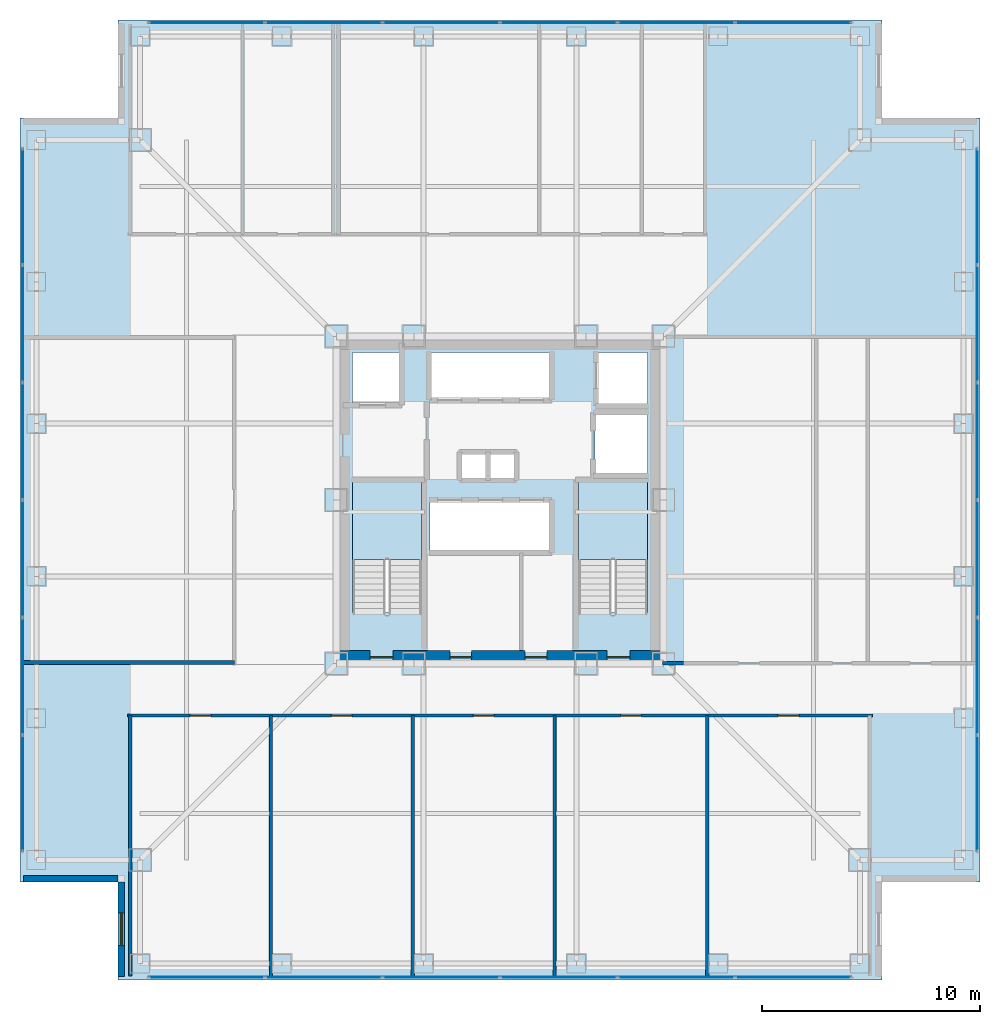
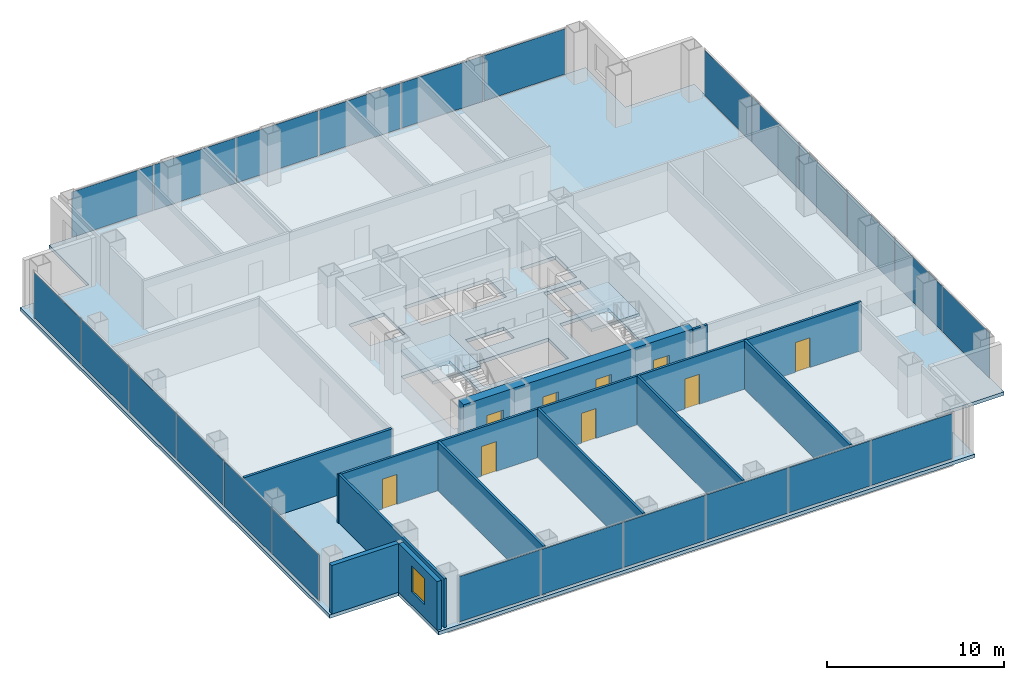
# One storey, part 12 of 17: 24 plates, 11 walls, 9 doors, 3 slabs, 1 window, 10 openings, 6 elements without a shape of their own.
"""IFC4 building model written with IfcOpenShell, lengths in metres."""

from ifc_helpers import new_model, si_unit, direction, frame, frame_2d, origin, origin_2d, place, context, subcontext, project, spatial, polyline, rectangle, outline, extrude, material, layer, layer_set, type_object, element, fill, aggregate, save


model = new_model("IFC4")

# Units and contexts
model_context = context("Model", 3, precision=1e-05, world=origin(), true_north=direction((0.0, 1.0)))
body_context = subcontext(model_context, "Body", "Model", "MODEL_VIEW")
ifc_project = project(units=[si_unit("LENGTHUNIT", "METRE"), si_unit("AREAUNIT", "SQUARE_METRE"), si_unit("VOLUMEUNIT", "CUBIC_METRE"), si_unit("PLANEANGLEUNIT", "RADIAN"), si_unit("MASSUNIT", "GRAM", prefix="KILO")], contexts=[model_context])

# Site, building, storey
site_placement = place(None, origin())
site = spatial("IfcSite", under=ifc_project, at=site_placement, CompositionType="ELEMENT")
building_placement = place(site_placement, origin())
building = spatial("IfcBuilding", under=site, at=building_placement, Name="Trevonay Congress Spire", CompositionType="ELEMENT")
storey_placement = place(building_placement, frame((0.0, 0.0, 108.39990234375)))
storey = spatial("IfcBuildingStorey", under=building, at=storey_placement, Name="L27", CompositionType="ELEMENT", Elevation=108.39990234375)

# Curtain wall, plates
ifc_material_1 = material(Name="Pale Anodised Aluminium EN AW-6063-T6", Category="aluminium")
ifc_layer_1 = layer(ifc_material_1, 0.175048828125, Name="Pale Anodised Aluminium EN AW-6063-T6")
ifc_layer_set_1 = layer_set([ifc_layer_1], Name="Pale Anodised Aluminium EN AW-6063-T6")
curtain_wall_type = type_object("IfcCurtainWallType", Name="CW-SYS03-CONGRESS-PALE-METAL", PredefinedType="NOTDEFINED", material=ifc_layer_set_1)
curtain_wall_1_placement = place(storey_placement, origin())
curtain_wall_1 = element("IfcCurtainWall", 1, at=curtain_wall_1_placement, inside=storey, type_object=curtain_wall_type, Name="L27 S unitised curtain wall", PredefinedType="NOTDEFINED")
ifc_material_2 = material(Name="Insulated Low-E Vision Glass IGU", Category="glass")
ifc_layer_2 = layer(ifc_material_2, 0.035888671875, Name="Insulated Low-E Vision Glass IGU")
ifc_layer_set_2 = layer_set([ifc_layer_2], Name="Insulated Low-E Vision Glass IGU")
plate_type = type_object("IfcPlateType", Name="CW-PANEL-IGU36-SILVER", PredefinedType="CURTAIN_PANEL", material=ifc_layer_set_2)
plate_1_placement = place(storey_placement, frame((-13.443359375, -21.8798828125, 0.1201171875), z_axis=(0.0, 0.0, 1.0), x_axis=(1.0, 0.0, 0.0)))
plate_1 = element("IfcPlate", 2, at=plate_1_placement, type_object=plate_type, Name="CW03 panel 1.1", PredefinedType="CURTAIN_PANEL", context=body_context, shape_type="SweptSolid", body=[
    extrude(rectangle(XDim=5.293212890625, YDim=0.035888671875, at=origin_2d()), origin(), (0.0, 0.0, 1.0), 3.1201171875),
])
plate_2_placement = place(storey_placement, frame((-8.074951171875, -21.8798828125, 0.1201171875), z_axis=(0.0, 0.0, 1.0), x_axis=(1.0, 0.0, 0.0)))
plate_2 = element("IfcPlate", 3, at=plate_2_placement, type_object=plate_type, Name="CW03 panel 2.1", PredefinedType="CURTAIN_PANEL", context=body_context, shape_type="SweptSolid", body=[
    extrude(rectangle(XDim=5.3232421875, YDim=0.035888671875, at=origin_2d()), origin(), (0.0, 0.0, 1.0), 3.1201171875),
])
plate_3_placement = place(storey_placement, frame((-2.691650390625, -21.8798828125, 0.1201171875), z_axis=(0.0, 0.0, 1.0), x_axis=(1.0, 0.0, 0.0)))
plate_3 = element("IfcPlate", 4, at=plate_3_placement, type_object=plate_type, Name="CW03 panel 3.1", PredefinedType="CURTAIN_PANEL", context=body_context, shape_type="SweptSolid", body=[
    extrude(rectangle(XDim=5.3232421875, YDim=0.035888671875, at=origin_2d()), origin(), (0.0, 0.0, 1.0), 3.1201171875),
])
plate_4_placement = place(storey_placement, frame((2.691650390625, -21.8798828125, 0.1201171875), z_axis=(0.0, 0.0, 1.0), x_axis=(1.0, 0.0, 0.0)))
plate_4 = element("IfcPlate", 5, at=plate_4_placement, type_object=plate_type, Name="CW03 panel 4.1", PredefinedType="CURTAIN_PANEL", context=body_context, shape_type="SweptSolid", body=[
    extrude(rectangle(XDim=5.3232421875, YDim=0.035888671875, at=origin_2d()), origin(), (0.0, 0.0, 1.0), 3.1201171875),
])
plate_5_placement = place(storey_placement, frame((8.074951171875, -21.8798828125, 0.1201171875), z_axis=(0.0, 0.0, 1.0), x_axis=(1.0, 0.0, 0.0)))
plate_5 = element("IfcPlate", 6, at=plate_5_placement, type_object=plate_type, Name="CW03 panel 5.1", PredefinedType="CURTAIN_PANEL", context=body_context, shape_type="SweptSolid", body=[
    extrude(rectangle(XDim=5.3232421875, YDim=0.035888671875, at=origin_2d()), origin(), (0.0, 0.0, 1.0), 3.1201171875),
])
plate_6_placement = place(storey_placement, frame((13.443359375, -21.8798828125, 0.1201171875), z_axis=(0.0, 0.0, 1.0), x_axis=(1.0, 0.0, 0.0)))
plate_6 = element("IfcPlate", 7, at=plate_6_placement, type_object=plate_type, Name="CW03 panel 6.1", PredefinedType="CURTAIN_PANEL", context=body_context, shape_type="SweptSolid", body=[
    extrude(rectangle(XDim=5.293212890625, YDim=0.035888671875, at=origin_2d()), origin(), (0.0, 0.0, 1.0), 3.1201171875),
])
aggregate(curtain_wall_1, [plate_1, plate_2, plate_3, plate_4, plate_5, plate_6])

curtain_wall_2_placement = place(storey_placement, origin())
curtain_wall_2 = element("IfcCurtainWall", 8, at=curtain_wall_2_placement, inside=storey, type_object=curtain_wall_type, Name="L27 N unitised curtain wall", PredefinedType="NOTDEFINED")
plate_7_placement = place(storey_placement, frame((-13.443359375, 21.8798828125, 0.1201171875), z_axis=(0.0, 0.0, 1.0), x_axis=(1.0, 0.0, 0.0)))
plate_7 = element("IfcPlate", 9, at=plate_7_placement, type_object=plate_type, Name="CW03 panel 1.1", PredefinedType="CURTAIN_PANEL", context=body_context, shape_type="SweptSolid", body=[
    extrude(rectangle(XDim=5.293212890625, YDim=0.035888671875, at=origin_2d()), origin(), (0.0, 0.0, 1.0), 3.1201171875),
])
plate_8_placement = place(storey_placement, frame((-8.074951171875, 21.8798828125, 0.1201171875), z_axis=(0.0, 0.0, 1.0), x_axis=(1.0, 0.0, 0.0)))
plate_8 = element("IfcPlate", 10, at=plate_8_placement, type_object=plate_type, Name="CW03 panel 2.1", PredefinedType="CURTAIN_PANEL", context=body_context, shape_type="SweptSolid", body=[
    extrude(rectangle(XDim=5.3232421875, YDim=0.035888671875, at=origin_2d()), origin(), (0.0, 0.0, 1.0), 3.1201171875),
])
plate_9_placement = place(storey_placement, frame((-2.691650390625, 21.8798828125, 0.1201171875), z_axis=(0.0, 0.0, 1.0), x_axis=(1.0, 0.0, 0.0)))
plate_9 = element("IfcPlate", 11, at=plate_9_placement, type_object=plate_type, Name="CW03 panel 3.1", PredefinedType="CURTAIN_PANEL", context=body_context, shape_type="SweptSolid", body=[
    extrude(rectangle(XDim=5.3232421875, YDim=0.035888671875, at=origin_2d()), origin(), (0.0, 0.0, 1.0), 3.1201171875),
])
plate_10_placement = place(storey_placement, frame((2.691650390625, 21.8798828125, 0.1201171875), z_axis=(0.0, 0.0, 1.0), x_axis=(1.0, 0.0, 0.0)))
plate_10 = element("IfcPlate", 12, at=plate_10_placement, type_object=plate_type, Name="CW03 panel 4.1", PredefinedType="CURTAIN_PANEL", context=body_context, shape_type="SweptSolid", body=[
    extrude(rectangle(XDim=5.3232421875, YDim=0.035888671875, at=origin_2d()), origin(), (0.0, 0.0, 1.0), 3.1201171875),
])
plate_11_placement = place(storey_placement, frame((8.074951171875, 21.8798828125, 0.1201171875), z_axis=(0.0, 0.0, 1.0), x_axis=(1.0, 0.0, 0.0)))
plate_11 = element("IfcPlate", 13, at=plate_11_placement, type_object=plate_type, Name="CW03 panel 5.1", PredefinedType="CURTAIN_PANEL", context=body_context, shape_type="SweptSolid", body=[
    extrude(rectangle(XDim=5.3232421875, YDim=0.035888671875, at=origin_2d()), origin(), (0.0, 0.0, 1.0), 3.1201171875),
])
plate_12_placement = place(storey_placement, frame((13.443359375, 21.8798828125, 0.1201171875), z_axis=(0.0, 0.0, 1.0), x_axis=(1.0, 0.0, 0.0)))
plate_12 = element("IfcPlate", 14, at=plate_12_placement, type_object=plate_type, Name="CW03 panel 6.1", PredefinedType="CURTAIN_PANEL", context=body_context, shape_type="SweptSolid", body=[
    extrude(rectangle(XDim=5.293212890625, YDim=0.035888671875, at=origin_2d()), origin(), (0.0, 0.0, 1.0), 3.1201171875),
])
aggregate(curtain_wall_2, [plate_7, plate_8, plate_9, plate_10, plate_11, plate_12])

curtain_wall_3_placement = place(storey_placement, origin())
curtain_wall_3 = element("IfcCurtainWall", 15, at=curtain_wall_3_placement, inside=storey, type_object=curtain_wall_type, Name="L27 W unitised curtain wall", PredefinedType="NOTDEFINED")
plate_13_placement = place(storey_placement, frame((-21.8798828125, -13.443359375, 0.1201171875), z_axis=(0.0, 0.0, 1.0), x_axis=(0.0, 1.0, 0.0)))
plate_13 = element("IfcPlate", 16, at=plate_13_placement, type_object=plate_type, Name="CW03 panel 1.1", PredefinedType="CURTAIN_PANEL", context=body_context, shape_type="SweptSolid", body=[
    extrude(rectangle(XDim=5.293212890625, YDim=0.035888671875, at=origin_2d()), origin(), (0.0, 0.0, 1.0), 3.1201171875),
])
plate_14_placement = place(storey_placement, frame((-21.8798828125, -8.074951171875, 0.1201171875), z_axis=(0.0, 0.0, 1.0), x_axis=(0.0, 1.0, 0.0)))
plate_14 = element("IfcPlate", 17, at=plate_14_placement, type_object=plate_type, Name="CW03 panel 2.1", PredefinedType="CURTAIN_PANEL", context=body_context, shape_type="SweptSolid", body=[
    extrude(rectangle(XDim=5.3232421875, YDim=0.035888671875, at=origin_2d()), origin(), (0.0, 0.0, 1.0), 3.1201171875),
])
plate_15_placement = place(storey_placement, frame((-21.8798828125, -2.691650390625, 0.1201171875), z_axis=(0.0, 0.0, 1.0), x_axis=(0.0, 1.0, 0.0)))
plate_15 = element("IfcPlate", 18, at=plate_15_placement, type_object=plate_type, Name="CW03 panel 3.1", PredefinedType="CURTAIN_PANEL", context=body_context, shape_type="SweptSolid", body=[
    extrude(rectangle(XDim=5.3232421875, YDim=0.035888671875, at=origin_2d()), origin(), (0.0, 0.0, 1.0), 3.1201171875),
])
plate_16_placement = place(storey_placement, frame((-21.8798828125, 2.691650390625, 0.1201171875), z_axis=(0.0, 0.0, 1.0), x_axis=(0.0, 1.0, 0.0)))
plate_16 = element("IfcPlate", 19, at=plate_16_placement, type_object=plate_type, Name="CW03 panel 4.1", PredefinedType="CURTAIN_PANEL", context=body_context, shape_type="SweptSolid", body=[
    extrude(rectangle(XDim=5.3232421875, YDim=0.035888671875, at=origin_2d()), origin(), (0.0, 0.0, 1.0), 3.1201171875),
])
plate_17_placement = place(storey_placement, frame((-21.8798828125, 8.074951171875, 0.1201171875), z_axis=(0.0, 0.0, 1.0), x_axis=(0.0, 1.0, 0.0)))
plate_17 = element("IfcPlate", 20, at=plate_17_placement, type_object=plate_type, Name="CW03 panel 5.1", PredefinedType="CURTAIN_PANEL", context=body_context, shape_type="SweptSolid", body=[
    extrude(rectangle(XDim=5.3232421875, YDim=0.035888671875, at=origin_2d()), origin(), (0.0, 0.0, 1.0), 3.1201171875),
])
plate_18_placement = place(storey_placement, frame((-21.8798828125, 13.443359375, 0.1201171875), z_axis=(0.0, 0.0, 1.0), x_axis=(0.0, 1.0, 0.0)))
plate_18 = element("IfcPlate", 21, at=plate_18_placement, type_object=plate_type, Name="CW03 panel 6.1", PredefinedType="CURTAIN_PANEL", context=body_context, shape_type="SweptSolid", body=[
    extrude(rectangle(XDim=5.293212890625, YDim=0.035888671875, at=origin_2d()), origin(), (0.0, 0.0, 1.0), 3.1201171875),
])
aggregate(curtain_wall_3, [plate_13, plate_14, plate_15, plate_16, plate_17, plate_18])

curtain_wall_4_placement = place(storey_placement, origin())
curtain_wall_4 = element("IfcCurtainWall", 22, at=curtain_wall_4_placement, inside=storey, type_object=curtain_wall_type, Name="L27 E unitised curtain wall", PredefinedType="NOTDEFINED")
plate_19_placement = place(storey_placement, frame((21.8798828125, -13.443359375, 0.1201171875), z_axis=(0.0, 0.0, 1.0), x_axis=(0.0, 1.0, 0.0)))
plate_19 = element("IfcPlate", 23, at=plate_19_placement, type_object=plate_type, Name="CW03 panel 1.1", PredefinedType="CURTAIN_PANEL", context=body_context, shape_type="SweptSolid", body=[
    extrude(rectangle(XDim=5.293212890625, YDim=0.035888671875, at=origin_2d()), origin(), (0.0, 0.0, 1.0), 3.1201171875),
])
plate_20_placement = place(storey_placement, frame((21.8798828125, -8.074951171875, 0.1201171875), z_axis=(0.0, 0.0, 1.0), x_axis=(0.0, 1.0, 0.0)))
plate_20 = element("IfcPlate", 24, at=plate_20_placement, type_object=plate_type, Name="CW03 panel 2.1", PredefinedType="CURTAIN_PANEL", context=body_context, shape_type="SweptSolid", body=[
    extrude(rectangle(XDim=5.3232421875, YDim=0.035888671875, at=origin_2d()), origin(), (0.0, 0.0, 1.0), 3.1201171875),
])
plate_21_placement = place(storey_placement, frame((21.8798828125, -2.691650390625, 0.1201171875), z_axis=(0.0, 0.0, 1.0), x_axis=(0.0, 1.0, 0.0)))
plate_21 = element("IfcPlate", 25, at=plate_21_placement, type_object=plate_type, Name="CW03 panel 3.1", PredefinedType="CURTAIN_PANEL", context=body_context, shape_type="SweptSolid", body=[
    extrude(rectangle(XDim=5.3232421875, YDim=0.035888671875, at=origin_2d()), origin(), (0.0, 0.0, 1.0), 3.1201171875),
])
plate_22_placement = place(storey_placement, frame((21.8798828125, 2.691650390625, 0.1201171875), z_axis=(0.0, 0.0, 1.0), x_axis=(0.0, 1.0, 0.0)))
plate_22 = element("IfcPlate", 26, at=plate_22_placement, type_object=plate_type, Name="CW03 panel 4.1", PredefinedType="CURTAIN_PANEL", context=body_context, shape_type="SweptSolid", body=[
    extrude(rectangle(XDim=5.3232421875, YDim=0.035888671875, at=origin_2d()), origin(), (0.0, 0.0, 1.0), 3.1201171875),
])
plate_23_placement = place(storey_placement, frame((21.8798828125, 8.074951171875, 0.1201171875), z_axis=(0.0, 0.0, 1.0), x_axis=(0.0, 1.0, 0.0)))
plate_23 = element("IfcPlate", 27, at=plate_23_placement, type_object=plate_type, Name="CW03 panel 5.1", PredefinedType="CURTAIN_PANEL", context=body_context, shape_type="SweptSolid", body=[
    extrude(rectangle(XDim=5.3232421875, YDim=0.035888671875, at=origin_2d()), origin(), (0.0, 0.0, 1.0), 3.1201171875),
])
plate_24_placement = place(storey_placement, frame((21.8798828125, 13.443359375, 0.1201171875), z_axis=(0.0, 0.0, 1.0), x_axis=(0.0, 1.0, 0.0)))
plate_24 = element("IfcPlate", 28, at=plate_24_placement, type_object=plate_type, Name="CW03 panel 6.1", PredefinedType="CURTAIN_PANEL", context=body_context, shape_type="SweptSolid", body=[
    extrude(rectangle(XDim=5.293212890625, YDim=0.035888671875, at=origin_2d()), origin(), (0.0, 0.0, 1.0), 3.1201171875),
])
aggregate(curtain_wall_4, [plate_19, plate_20, plate_21, plate_22, plate_23, plate_24])

# Stair, slab
ifc_material_3 = material(Name="Concrete C40/50", Category="concrete")
stair_type_1 = type_object("IfcStairType", Name="STR-ST-1", PredefinedType="HALF_TURN_STAIR", material=ifc_material_3)
stair_1_placement = place(storey_placement, origin())
stair_1 = element("IfcStair", 29, at=stair_1_placement, inside=storey, type_object=stair_type_1, Name="L27 Protected Exit Stair ST-1", PredefinedType="HALF_TURN_STAIR")
ifc_layer_3 = layer(ifc_material_3, 0.199951171875, Name="Concrete C40/50")
ifc_layer_set_3 = layer_set([ifc_layer_3], Name="Concrete C40/50")
slab_type_1 = type_object("IfcSlabType", Name="SLB-STAIR-LAND-200", PredefinedType="LANDING", material=ifc_layer_set_3)
slab_1_placement = place(storey_placement, frame((0.0, 0.0, 1.60009765625)))
slab_1 = element("IfcSlab", 30, at=slab_1_placement, type_object=slab_type_1, Name="ST-1 landing 1", PredefinedType="LANDING", context=body_context, shape_type="SweptSolid", body=[
    extrude(outline(polyline([(-3.60009765625, -2.72998046875), (-3.60009765625, 0.85009765625), (-6.75, 0.85009765625), (-6.75, -2.72998046875), (-3.60009765625, -2.72998046875)])), origin(), (0.0, 0.0, 1.0), 0.199951171875),
])
aggregate(stair_1, [slab_1])

stair_type_2 = type_object("IfcStairType", Name="STR-ST-2", PredefinedType="HALF_TURN_STAIR", material=ifc_material_3)
stair_2_placement = place(storey_placement, origin())
stair_2 = element("IfcStair", 31, at=stair_2_placement, inside=storey, type_object=stair_type_2, Name="L27 Protected Exit Stair ST-2", PredefinedType="HALF_TURN_STAIR")
slab_2_placement = place(storey_placement, frame((0.0, 0.0, 1.60009765625)))
slab_2 = element("IfcSlab", 32, at=slab_2_placement, type_object=slab_type_1, Name="ST-2 landing 1", PredefinedType="LANDING", context=body_context, shape_type="SweptSolid", body=[
    extrude(outline(polyline([(6.75, -2.72998046875), (6.75, 0.85009765625), (3.60009765625, 0.85009765625), (3.60009765625, -2.72998046875), (6.75, -2.72998046875)])), origin(), (0.0, 0.0, 1.0), 0.199951171875),
])
aggregate(stair_2, [slab_2])

# Slab
ifc_layer_4 = layer(ifc_material_3, 0.239990234375, Name="Concrete C40/50")
ifc_layer_set_4 = layer_set([ifc_layer_4], Name="Concrete C40/50")
slab_type_2 = type_object("IfcSlabType", Name="SLB-TOW2-240", PredefinedType="FLOOR", material=ifc_layer_set_4)
slab_3_placement = place(storey_placement, frame((0.0, 0.0, -0.239990234375)))
element("IfcSlab", 33, at=slab_3_placement, inside=storey, type_object=slab_type_2, Name="L27 structural floor slab", PredefinedType="FLOOR", context=body_context, shape_type="SweptSolid", body=[
    extrude(outline(polyline([(-17.5, -22.0), (17.5, -22.0), (17.5, -17.5), (22.0, -17.5), (22.0, 17.5), (17.5, 17.5), (17.5, 22.0), (-17.5, 22.0), (-17.5, 17.5), (-22.0, 17.5), (-22.0, -17.5), (-17.5, -17.5), (-17.5, -22.0)]), holes=[polyline([(-3.60009765625, -5.14990234375), (-3.60009765625, 0.85009765625), (-6.75, 0.85009765625), (-6.75, -5.14990234375), (-3.60009765625, -5.14990234375)]), polyline([(6.75, -5.14990234375), (6.75, 0.85009765625), (3.60009765625, 0.85009765625), (3.60009765625, -5.14990234375), (6.75, -5.14990234375)]), polyline([(-3.199951171875, -2.35009765625), (2.340087890625, -2.35009765625), (2.340087890625, -0.050048828125), (-3.199951171875, -0.050048828125), (-3.199951171875, -2.35009765625)]), polyline([(-3.199951171875, 4.64990234375), (2.340087890625, 4.64990234375), (2.340087890625, 6.75), (-3.199951171875, 6.75), (-3.199951171875, 4.64990234375)]), polyline([(-6.75, 4.35009765625), (-4.449951171875, 4.35009765625), (-4.449951171875, 6.75), (-6.75, 6.75), (-6.75, 4.35009765625)]), polyline([(4.449951171875, 4.35009765625), (6.75, 4.35009765625), (6.75, 6.75), (4.449951171875, 6.75), (4.449951171875, 4.35009765625)]), polyline([(4.35009765625, 1.199951171875), (6.75, 1.199951171875), (6.75, 3.949951171875), (4.35009765625, 3.949951171875), (4.35009765625, 1.199951171875)]), polyline([(-1.800048828125, 0.949951171875), (0.699951171875, 0.949951171875), (0.699951171875, 2.14990234375), (-1.800048828125, 2.14990234375), (-1.800048828125, 0.949951171875)])]), origin(), (0.0, 0.0, 1.0), 0.239990234375),
])

# Wall, openings, doors
ifc_material_4 = material(Name="Concrete C60/75", Category="concrete")
ifc_layer_5 = layer(ifc_material_4, 0.60009765625, Name="Concrete C60/75")
ifc_layer_set_5 = layer_set([ifc_layer_5], Name="Concrete C60/75")
wall_type_1 = type_object("IfcWallType", Name="WAL-CORE-600", PredefinedType="SHEAR", material=ifc_layer_set_5)
wall_1_placement = place(storey_placement, frame((-7.5, -7.199951171875, 0.0), z_axis=(0.0, 0.0, 1.0), x_axis=(1.0, 0.0, 0.0)))
wall_1 = element("IfcWall", 34, at=wall_1_placement, inside=storey, type_object=wall_type_1, Name="L27 South structural core shear wall", PredefinedType="SHEAR", context=body_context, shape_type="SweptSolid", body=[
    extrude(rectangle(XDim=15.0, YDim=0.60009765625, at=frame_2d((7.5, 0.0))), origin(), (0.0, 0.0, 1.0), 3.360107421875),
])
opening_1_placement = place(wall_1_placement, frame((1.550048828125, 0.0, 0.0)))
opening_1 = element("IfcOpeningElement", 35, at=opening_1_placement, cuts=wall_1, Name="Opening D05", PredefinedType="OPENING", context=body_context, shape_type="SweptSolid", body=[
    extrude(rectangle(XDim=1.050048828125, YDim=2.080078125, at=frame_2d((0.52490234375, 1.0400390625))), frame((0.0, 0.31005859375, 0.0), z_axis=(0.0, -1.0, 0.0), x_axis=(1.0, 0.0, 0.0)), (0.0, 0.0, 1.0), 0.6201171875),
])
opening_2_placement = place(wall_1_placement, frame((12.39990234375, 0.0, 0.0)))
opening_2 = element("IfcOpeningElement", 36, at=opening_2_placement, cuts=wall_1, Name="Opening D05", PredefinedType="OPENING", context=body_context, shape_type="SweptSolid", body=[
    extrude(rectangle(XDim=1.050048828125, YDim=2.080078125, at=frame_2d((0.52490234375, 1.0400390625))), frame((0.0, 0.31005859375, 0.0), z_axis=(0.0, -1.0, 0.0), x_axis=(1.0, 0.0, 0.0)), (0.0, 0.0, 1.0), 0.6201171875),
])
opening_3_placement = place(wall_1_placement, frame((5.199951171875, 0.0, 0.0)))
opening_3 = element("IfcOpeningElement", 37, at=opening_3_placement, cuts=wall_1, Name="Opening D06", PredefinedType="OPENING", context=body_context, shape_type="SweptSolid", body=[
    extrude(rectangle(XDim=1.0, YDim=2.080078125, at=frame_2d((0.5, 1.0400390625))), frame((0.0, 0.31005859375, 0.0), z_axis=(0.0, -1.0, 0.0), x_axis=(1.0, 0.0, 0.0)), (0.0, 0.0, 1.0), 0.6201171875),
])
opening_4_placement = place(wall_1_placement, frame((8.64990234375, 0.0, 0.0)))
opening_4 = element("IfcOpeningElement", 38, at=opening_4_placement, cuts=wall_1, Name="Opening D06", PredefinedType="OPENING", context=body_context, shape_type="SweptSolid", body=[
    extrude(rectangle(XDim=1.0, YDim=2.080078125, at=frame_2d((0.5, 1.0400390625))), frame((0.0, 0.31005859375, 0.0), z_axis=(0.0, -1.0, 0.0), x_axis=(1.0, 0.0, 0.0)), (0.0, 0.0, 1.0), 0.6201171875),
])
ifc_material_5 = material(Name="Steel ASTM A572 Grade 50", Category="steel")
door_type_1 = type_object("IfcDoorType", Name="DOR-FIRE-100", OperationType="NOTDEFINED", PredefinedType="DOOR", material=ifc_material_5)
door_1_placement = place(opening_3_placement, origin())
door_1 = element("IfcDoor", 39, at=door_1_placement, inside=storey, type_object=door_type_1, Name="L27 South Core Room 1 Door", OperationType="SINGLE_SWING_RIGHT", OverallHeight=2.080078125, OverallWidth=1.0, PredefinedType="DOOR", context=body_context, shape_type="SweptSolid", body=[
    extrude(rectangle(XDim=1.0, YDim=2.080078125, at=frame_2d((0.5, 1.0400390625))), frame((0.0, 0.02490234375, 0.0), z_axis=(0.0, -1.0, 0.0), x_axis=(1.0, 0.0, 0.0)), (0.0, 0.0, 1.0), 0.050048828125),
])
fill(opening_3, door_1)
door_2_placement = place(opening_4_placement, origin())
door_2 = element("IfcDoor", 40, at=door_2_placement, inside=storey, type_object=door_type_1, Name="L27 South Core Room 2 Door", OperationType="SINGLE_SWING_LEFT", OverallHeight=2.080078125, OverallWidth=1.0, PredefinedType="DOOR", context=body_context, shape_type="SweptSolid", body=[
    extrude(rectangle(XDim=1.0, YDim=2.080078125, at=frame_2d((0.5, 1.0400390625))), frame((0.0, 0.02490234375, 0.0), z_axis=(0.0, -1.0, 0.0), x_axis=(1.0, 0.0, 0.0)), (0.0, 0.0, 1.0), 0.050048828125),
])
fill(opening_4, door_2)
door_type_2 = type_object("IfcDoorType", Name="DOR-STAIR-110", OperationType="NOTDEFINED", PredefinedType="DOOR", material=ifc_material_5)
door_3_placement = place(opening_1_placement, origin())
door_3 = element("IfcDoor", 41, at=door_3_placement, inside=storey, type_object=door_type_2, Name="L27 Protected Stair ST-1 Door", OperationType="SINGLE_SWING_LEFT", OverallHeight=2.080078125, OverallWidth=1.050048828125, PredefinedType="DOOR", context=body_context, shape_type="SweptSolid", body=[
    extrude(rectangle(XDim=1.050048828125, YDim=2.080078125, at=frame_2d((0.52490234375, 1.0400390625))), frame((0.0, 0.02490234375, 0.0), z_axis=(0.0, -1.0, 0.0), x_axis=(1.0, 0.0, 0.0)), (0.0, 0.0, 1.0), 0.050048828125),
])
fill(opening_1, door_3)
door_4_placement = place(opening_2_placement, origin())
door_4 = element("IfcDoor", 42, at=door_4_placement, inside=storey, type_object=door_type_2, Name="L27 Protected Stair ST-2 Door", OperationType="SINGLE_SWING_RIGHT", OverallHeight=2.080078125, OverallWidth=1.050048828125, PredefinedType="DOOR", context=body_context, shape_type="SweptSolid", body=[
    extrude(rectangle(XDim=1.050048828125, YDim=2.080078125, at=frame_2d((0.52490234375, 1.0400390625))), frame((0.0, 0.02490234375, 0.0), z_axis=(0.0, -1.0, 0.0), x_axis=(1.0, 0.0, 0.0)), (0.0, 0.0, 1.0), 0.050048828125),
])
fill(opening_2, door_4)

ifc_layer_6 = layer(ifc_material_3, 0.14990234375, Name="Concrete C40/50")
ifc_layer_set_6 = layer_set([ifc_layer_6], Name="Concrete C40/50")
wall_type_2 = type_object("IfcWallType", Name="WAL-CORR-150", PredefinedType="PARTITIONING", material=ifc_layer_set_6)
wall_2_placement = place(storey_placement, frame((-17.070068359375, -9.8798828125, 0.0), z_axis=(0.0, 0.0, 1.0), x_axis=(1.0, 0.0, 0.0)))
wall_2 = element("IfcWall", 43, at=wall_2_placement, inside=storey, type_object=wall_type_2, Name="L27 interior wall WP-L27S-COR", PredefinedType="PARTITIONING", context=body_context, shape_type="SweptSolid", body=[
    extrude(rectangle(XDim=34.14013671875, YDim=0.14990234375, at=frame_2d((17.070068359375, 0.0))), origin(), (0.0, 0.0, 1.0), 3.360107421875),
])
opening_5_placement = place(wall_2_placement, frame((2.8701171875, 0.0, 0.0)))
opening_5 = element("IfcOpeningElement", 44, at=opening_5_placement, cuts=wall_2, Name="Opening D07", PredefinedType="OPENING", context=body_context, shape_type="SweptSolid", body=[
    extrude(rectangle(XDim=0.949951171875, YDim=2.06005859375, at=frame_2d((0.47509765625, 1.030029296875))), frame((0.0, 0.0849609375, 0.0), z_axis=(0.0, -1.0, 0.0), x_axis=(1.0, 0.0, 0.0)), (0.0, 0.0, 1.0), 0.169921875),
])
opening_6_placement = place(wall_2_placement, frame((9.344970703125, 0.0, 0.0)))
opening_6 = element("IfcOpeningElement", 45, at=opening_6_placement, cuts=wall_2, Name="Opening D07", PredefinedType="OPENING", context=body_context, shape_type="SweptSolid", body=[
    extrude(rectangle(XDim=0.949951171875, YDim=2.06005859375, at=frame_2d((0.47509765625, 1.030029296875))), frame((0.0, 0.0849609375, 0.0), z_axis=(0.0, -1.0, 0.0), x_axis=(1.0, 0.0, 0.0)), (0.0, 0.0, 1.0), 0.169921875),
])
opening_7_placement = place(wall_2_placement, frame((15.844970703125, 0.0, 0.0)))
opening_7 = element("IfcOpeningElement", 46, at=opening_7_placement, cuts=wall_2, Name="Opening D07", PredefinedType="OPENING", context=body_context, shape_type="SweptSolid", body=[
    extrude(rectangle(XDim=0.949951171875, YDim=2.06005859375, at=frame_2d((0.47509765625, 1.030029296875))), frame((0.0, 0.0849609375, 0.0), z_axis=(0.0, -1.0, 0.0), x_axis=(1.0, 0.0, 0.0)), (0.0, 0.0, 1.0), 0.169921875),
])
opening_8_placement = place(wall_2_placement, frame((22.594970703125, 0.0, 0.0)))
opening_8 = element("IfcOpeningElement", 47, at=opening_8_placement, cuts=wall_2, Name="Opening D07", PredefinedType="OPENING", context=body_context, shape_type="SweptSolid", body=[
    extrude(rectangle(XDim=0.949951171875, YDim=2.06005859375, at=frame_2d((0.47509765625, 1.030029296875))), frame((0.0, 0.0849609375, 0.0), z_axis=(0.0, -1.0, 0.0), x_axis=(1.0, 0.0, 0.0)), (0.0, 0.0, 1.0), 0.169921875),
])
opening_9_placement = place(wall_2_placement, frame((29.820068359375, 0.0, 0.0)))
opening_9 = element("IfcOpeningElement", 48, at=opening_9_placement, cuts=wall_2, Name="Opening D07", PredefinedType="OPENING", context=body_context, shape_type="SweptSolid", body=[
    extrude(rectangle(XDim=0.949951171875, YDim=2.06005859375, at=frame_2d((0.47509765625, 1.030029296875))), frame((0.0, 0.0849609375, 0.0), z_axis=(0.0, -1.0, 0.0), x_axis=(1.0, 0.0, 0.0)), (0.0, 0.0, 1.0), 0.169921875),
])
door_type_3 = type_object("IfcDoorType", Name="DOR-OFFICE-95", OperationType="NOTDEFINED", PredefinedType="DOOR", material=ifc_material_1)
door_5_placement = place(opening_5_placement, origin())
door_5 = element("IfcDoor", 49, at=door_5_placement, inside=storey, type_object=door_type_3, Name="L27 Economic Secretariat Office 1 Door", OperationType="SINGLE_SWING_LEFT", OverallHeight=2.06005859375, OverallWidth=0.949951171875, PredefinedType="DOOR", context=body_context, shape_type="SweptSolid", body=[
    extrude(rectangle(XDim=0.949951171875, YDim=2.06005859375, at=frame_2d((0.47509765625, 1.030029296875))), frame((0.0, 0.02490234375, 0.0), z_axis=(0.0, -1.0, 0.0), x_axis=(1.0, 0.0, 0.0)), (0.0, 0.0, 1.0), 0.050048828125),
])
fill(opening_5, door_5)
door_6_placement = place(opening_6_placement, origin())
door_6 = element("IfcDoor", 50, at=door_6_placement, inside=storey, type_object=door_type_3, Name="L27 Economic Secretariat Office 2 Door", OperationType="SINGLE_SWING_RIGHT", OverallHeight=2.06005859375, OverallWidth=0.949951171875, PredefinedType="DOOR", context=body_context, shape_type="SweptSolid", body=[
    extrude(rectangle(XDim=0.949951171875, YDim=2.06005859375, at=frame_2d((0.47509765625, 1.030029296875))), frame((0.0, 0.02490234375, 0.0), z_axis=(0.0, -1.0, 0.0), x_axis=(1.0, 0.0, 0.0)), (0.0, 0.0, 1.0), 0.050048828125),
])
fill(opening_6, door_6)
door_7_placement = place(opening_7_placement, origin())
door_7 = element("IfcDoor", 51, at=door_7_placement, inside=storey, type_object=door_type_3, Name="L27 Legal Counsel Office 3 Door", OperationType="SINGLE_SWING_LEFT", OverallHeight=2.06005859375, OverallWidth=0.949951171875, PredefinedType="DOOR", context=body_context, shape_type="SweptSolid", body=[
    extrude(rectangle(XDim=0.949951171875, YDim=2.06005859375, at=frame_2d((0.47509765625, 1.030029296875))), frame((0.0, 0.02490234375, 0.0), z_axis=(0.0, -1.0, 0.0), x_axis=(1.0, 0.0, 0.0)), (0.0, 0.0, 1.0), 0.050048828125),
])
fill(opening_7, door_7)
door_8_placement = place(opening_8_placement, origin())
door_8 = element("IfcDoor", 52, at=door_8_placement, inside=storey, type_object=door_type_3, Name="L27 Statistical Analysis Office 4 Door", OperationType="SINGLE_SWING_RIGHT", OverallHeight=2.06005859375, OverallWidth=0.949951171875, PredefinedType="DOOR", context=body_context, shape_type="SweptSolid", body=[
    extrude(rectangle(XDim=0.949951171875, YDim=2.06005859375, at=frame_2d((0.47509765625, 1.030029296875))), frame((0.0, 0.02490234375, 0.0), z_axis=(0.0, -1.0, 0.0), x_axis=(1.0, 0.0, 0.0)), (0.0, 0.0, 1.0), 0.050048828125),
])
fill(opening_8, door_8)
door_9_placement = place(opening_9_placement, origin())
door_9 = element("IfcDoor", 53, at=door_9_placement, inside=storey, type_object=door_type_3, Name="L27 Directorate Corner Office Door", OperationType="SINGLE_SWING_LEFT", OverallHeight=2.06005859375, OverallWidth=0.949951171875, PredefinedType="DOOR", context=body_context, shape_type="SweptSolid", body=[
    extrude(rectangle(XDim=0.949951171875, YDim=2.06005859375, at=frame_2d((0.47509765625, 1.030029296875))), frame((0.0, 0.02490234375, 0.0), z_axis=(0.0, -1.0, 0.0), x_axis=(1.0, 0.0, 0.0)), (0.0, 0.0, 1.0), 0.050048828125),
])
fill(opening_9, door_9)

# Wall
wall_3_placement = place(storey_placement, frame((7.449951171875, -7.47998046875, 0.0), z_axis=(0.0, 0.0, 1.0), x_axis=(1.0, 0.0, 0.0)))
element("IfcWall", 54, at=wall_3_placement, inside=storey, type_object=wall_type_2, Name="L27 interior wall WP-L27E-STUB", PredefinedType="PARTITIONING", context=body_context, shape_type="SweptSolid", body=[
    extrude(rectangle(XDim=0.949951171875, YDim=0.14990234375, at=frame_2d((0.47509765625, 0.0))), origin(), (0.0, 0.0, 1.0), 3.360107421875),
])

# Wall, opening, window
ifc_material_6 = material(Name="Precast concrete C40/50", Category="concrete")
ifc_layer_7 = layer(ifc_material_6, 0.300048828125, Name="Precast concrete C40/50")
ifc_layer_set_7 = layer_set([ifc_layer_7], Name="Precast concrete C40/50")
wall_type_3 = type_object("IfcWallType", Name="WAL-EXT-PRECAST-300", PredefinedType="SOLIDWALL", material=ifc_layer_set_7)
wall_4_placement = place(storey_placement, frame((-17.35009765625, -21.85009765625, 0.0), z_axis=(0.0, 0.0, 1.0), x_axis=(0.0, 1.0, 0.0)))
wall_4 = element("IfcWall", 55, at=wall_4_placement, inside=storey, type_object=wall_type_3, Name="L27 SW re-entrant notch exterior wall 1", PredefinedType="SOLIDWALL", context=body_context, shape_type="SweptSolid", body=[
    extrude(rectangle(XDim=4.35009765625, YDim=0.300048828125, at=frame_2d((2.175048828125, 0.0))), origin(), (0.0, 0.0, 1.0), 3.360107421875),
])
opening_10_placement = place(wall_4_placement, frame((1.425048828125, 0.0, 0.89990234375)))
opening_10 = element("IfcOpeningElement", 56, at=opening_10_placement, cuts=wall_4, Name="Opening WN03", PredefinedType="OPENING", context=body_context, shape_type="SweptSolid", body=[
    extrude(rectangle(XDim=1.5, YDim=1.800048828125, at=frame_2d((0.75, 0.89990234375))), frame((0.0, 0.16015625, 0.0), z_axis=(0.0, -1.0, 0.0), x_axis=(1.0, 0.0, 0.0)), (0.0, 0.0, 1.0), 0.320068359375),
])
window_type = type_object("IfcWindowType", Name="WIN-NOTCH-150X180", PartitioningType="SINGLE_PANEL", PredefinedType="WINDOW", material=ifc_material_2)
window_placement = place(opening_10_placement, origin())
window = element("IfcWindow", 57, at=window_placement, inside=storey, type_object=window_type, Name="L27 SW corner notch window", OverallHeight=1.800048828125, OverallWidth=1.5, PartitioningType="SINGLE_PANEL", PredefinedType="WINDOW", context=body_context, shape_type="SweptSolid", body=[
    extrude(rectangle(XDim=1.5, YDim=1.800048828125, at=frame_2d((0.75, 0.89990234375))), frame((0.0, 0.030029296875, 0.0), z_axis=(0.0, -1.0, 0.0), x_axis=(1.0, 0.0, 0.0)), (0.0, 0.0, 1.0), 0.06005859375),
])
fill(opening_10, window)

# Walls
wall_5_placement = place(storey_placement, frame((-21.85009765625, -17.35009765625, 0.0), z_axis=(0.0, 0.0, 1.0), x_axis=(1.0, 0.0, 0.0)))
element("IfcWall", 58, at=wall_5_placement, inside=storey, type_object=wall_type_3, Name="L27 SW re-entrant notch exterior wall 2", PredefinedType="SOLIDWALL", context=body_context, shape_type="SweptSolid", body=[
    extrude(rectangle(XDim=4.35009765625, YDim=0.300048828125, at=frame_2d((2.175048828125, 0.0))), origin(), (0.0, 0.0, 1.0), 3.360107421875),
])
ifc_layer_8 = layer(ifc_material_3, 0.14990234375, Name="Concrete C40/50")
ifc_layer_set_8 = layer_set([ifc_layer_8], Name="Concrete C40/50")
wall_type_4 = type_object("IfcWallType", Name="WAL-PART-150", PredefinedType="PARTITIONING", material=ifc_layer_set_8)
for number, where, z_axis, x_axis, name in (
    (59, (-16.949951171875, -21.820068359375, 0.0), (0.0, 0.0, 1.0), (0.0, 1.0, 0.0), "L27 interior wall WP-L27S-DIV1"),
    (60, (-10.5, -21.820068359375, 0.0), (0.0, 0.0, 1.0), (0.0, 1.0, 0.0), "L27 interior wall WP-L27S-DIV2"),
    (61, (-4.0, -21.820068359375, 0.0), (0.0, 0.0, 1.0), (0.0, 1.0, 0.0), "L27 interior wall WP-L27S-DIV3"),
    (62, (2.5, -21.820068359375, 0.0), (0.0, 0.0, 1.0), (0.0, 1.0, 0.0), "L27 interior wall WP-L27S-DIV4"),
    (63, (9.5, -21.820068359375, 0.0), (0.0, 0.0, 1.0), (0.0, 1.0, 0.0), "L27 interior wall WP-L27S-DIV5"),
):
    element("IfcWall", number, at=place(storey_placement, frame(where, z_axis=z_axis, x_axis=x_axis)), inside=storey, type_object=wall_type_4, Name=name, PredefinedType="PARTITIONING", context=body_context, shape_type="SweptSolid", body=[
        extrude(rectangle(XDim=11.940185546875, YDim=0.14990234375, at=frame_2d((5.97021484375, 0.0))), origin(), (0.0, 0.0, 1.0), 3.360107421875),
    ])
ifc_layer_9 = layer(ifc_material_3, 0.1650390625, Name="Concrete C40/50")
ifc_layer_set_9 = layer_set([ifc_layer_9], Name="Concrete C40/50")
wall_type_5 = type_object("IfcWallType", Name="WAL-WET-165", PredefinedType="PLUMBINGWALL", material=ifc_layer_set_9)
wall_6_placement = place(storey_placement, frame((-21.820068359375, -7.449951171875, 0.0), z_axis=(0.0, 0.0, 1.0), x_axis=(1.0, 0.0, 0.0)))
element("IfcWall", 64, at=wall_6_placement, inside=storey, type_object=wall_type_5, Name="L27 interior wall WP-L27W-DIV1", PredefinedType="PLUMBINGWALL", context=body_context, shape_type="SweptSolid", body=[
    extrude(rectangle(XDim=9.64013671875, YDim=0.1650390625, at=frame_2d((4.820068359375, 0.0))), origin(), (0.0, 0.0, 1.0), 3.360107421875),
])

save(model, "model.ifc")
